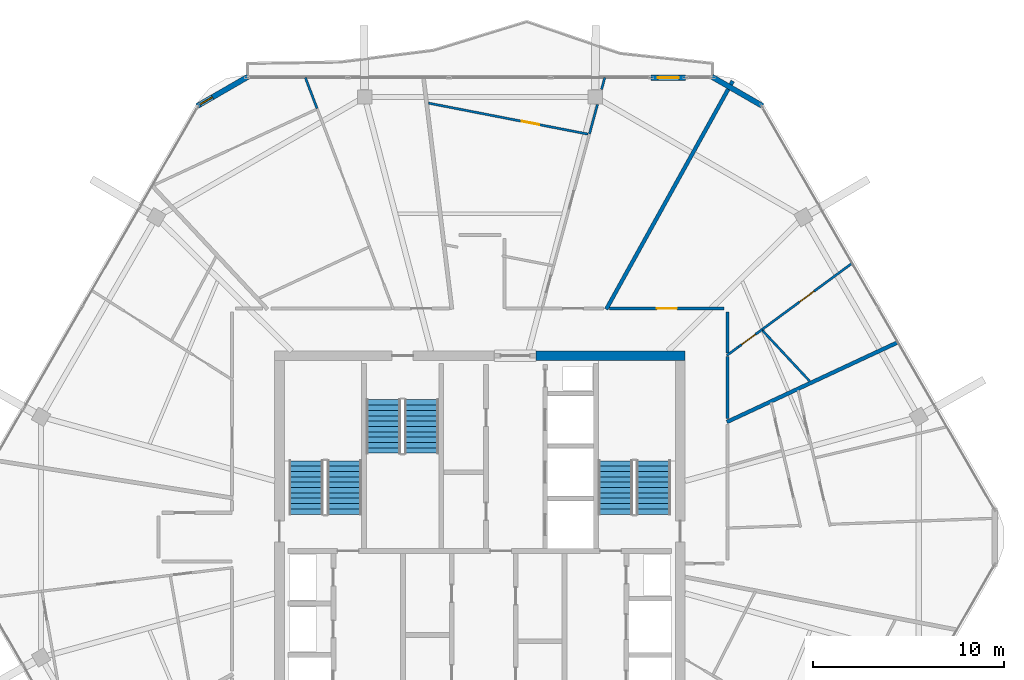
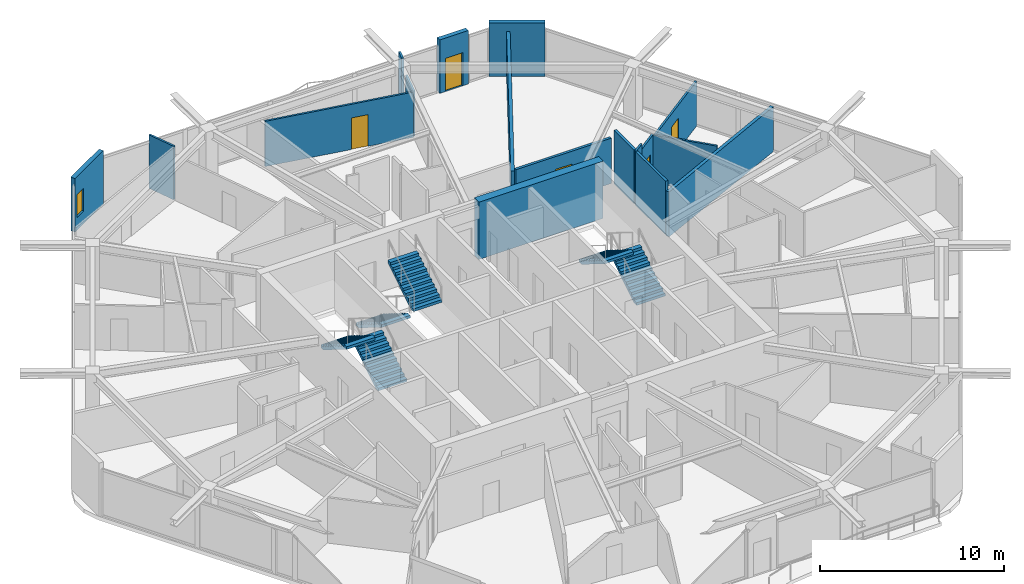
# One storey, part 19 of 21: 17 walls, 6 stair flights, 5 doors, 1 window, 6 openings, 3 elements without a shape of their own.
"""IFC4 building model written with IfcOpenShell, lengths in metres."""

from ifc_helpers import new_model, si_unit, direction, frame, frame_2d, origin, place, context, subcontext, project, spatial, polyline, rectangle, outline, extrude, material, layer, layer_set, type_object, element, fill, aggregate, save


model = new_model("IFC4")

# Units and contexts
model_context = context("Model", 3, precision=1e-05, world=origin(), true_north=direction((0.0, 1.0)))
body_context = subcontext(model_context, "Body", "Model", "MODEL_VIEW")
ifc_project = project(units=[si_unit("LENGTHUNIT", "METRE"), si_unit("AREAUNIT", "SQUARE_METRE"), si_unit("VOLUMEUNIT", "CUBIC_METRE"), si_unit("PLANEANGLEUNIT", "RADIAN"), si_unit("MASSUNIT", "GRAM", prefix="KILO")], contexts=[model_context])

# Site, building, storey
site_placement = place(None, origin())
site = spatial("IfcSite", under=ifc_project, at=site_placement, CompositionType="ELEMENT")
building_placement = place(site_placement, origin())
building = spatial("IfcBuilding", under=site, at=building_placement, Name="Zuhravey Tower", CompositionType="ELEMENT")
storey_placement = place(building_placement, frame((0.0, 0.0, 334.800048828125)))
storey = spatial("IfcBuildingStorey", under=building, at=storey_placement, Name="L85", CompositionType="ELEMENT", Elevation=334.800048828125)

# Wall
ifc_material_1 = material(Name="Concrete C50/60", Category="concrete")
ifc_layer_1 = layer(ifc_material_1, 0.5)
ifc_layer_set_1 = layer_set([ifc_layer_1], Name="Concrete C50/60")
wall_type_1 = type_object("IfcWallType", Name="Core Shear Wall 500", PredefinedType="SHEAR", material=ifc_layer_set_1)
wall_1_placement = place(storey_placement, frame((46.75, 41.5, 0.0), z_axis=(0.0, 0.0, 1.0), x_axis=(-1.0, 0.0, 0.0)))
element("IfcWall", 1, at=wall_1_placement, inside=storey, type_object=wall_type_1, Name="L85 North-East Core Shear Wall CW50", PredefinedType="SHEAR", context=body_context, shape_type="SweptSolid", body=[
    extrude(rectangle(XDim=7.800048828125, YDim=0.5, at=frame_2d((3.89990234375, 0.0))), origin(), (0.0, 0.0, 1.0), 3.800048828125),
])

# Wall, opening, door
ifc_material_2 = material(Name="Gypsum fire-rated stud partition")
ifc_layer_2 = layer(ifc_material_2, 0.159912109375)
ifc_layer_set_2 = layer_set([ifc_layer_2], Name="Gypsum fire-rated stud partition")
wall_type_2 = type_object("IfcWallType", Name="Corridor Fire Partition 160", PredefinedType="PARTITIONING", material=ifc_layer_set_2)
wall_2_placement = place(storey_placement, frame((48.800048828125, 43.97998046875, 0.0), z_axis=(0.0, 0.0, 1.0), x_axis=(-1.0, 0.0, 0.0)))
wall_2 = element("IfcWall", 2, at=wall_2_placement, inside=storey, type_object=wall_type_2, Name="L85 IW16 Partition 050", PredefinedType="PARTITIONING", context=body_context, shape_type="SweptSolid", body=[
    extrude(rectangle(XDim=5.999267578125, YDim=0.159912109375, at=frame_2d((2.99951171875, 0.0))), origin(), (0.0, 0.0, 1.0), 3.0),
])
opening_1_placement = place(wall_2_placement, frame((2.474609375, 0.0, 0.0)))
opening_1 = element("IfcOpeningElement", 3, at=opening_1_placement, cuts=wall_2, Name="Opening APD1", PredefinedType="OPENING", context=body_context, shape_type="SweptSolid", body=[
    extrude(rectangle(XDim=1.050048828125, YDim=2.14990234375, at=frame_2d((0.52490234375, 1.074951171875))), frame((0.0, 0.092041015625, 0.0), z_axis=(0.0, -1.0, 0.0), x_axis=(1.0, 0.0, 0.0)), (0.0, 0.0, 1.0), 0.183837890625),
])
ifc_material_3 = material(Name="Solid-core oak fire-rated leaf")
door_type_1 = type_object("IfcDoorType", Name="Apartment Entrance Fire Door 1050x2150", OperationType="NOTDEFINED", PredefinedType="DOOR", material=ifc_material_3)
door_1_placement = place(opening_1_placement, frame((1.050048828125, 0.0, 0.0), z_axis=(0.0, 0.0, 1.0), x_axis=(-1.0, 0.0, 0.0)))
door_1 = element("IfcDoor", 4, at=door_1_placement, inside=storey, type_object=door_type_1, Name="L85 Door 050.1", OperationType="SINGLE_SWING_RIGHT", OverallHeight=2.14990234375, OverallWidth=1.050048828125, PredefinedType="DOOR", context=body_context, shape_type="SweptSolid", body=[
    extrude(rectangle(XDim=1.050048828125, YDim=2.14990234375, at=frame_2d((0.52490234375, 1.074951171875))), frame((0.0, 0.02490234375, 0.0), z_axis=(0.0, -1.0, 0.0), x_axis=(1.0, 0.0, 0.0)), (0.0, 0.0, 1.0), 0.050048828125),
])
fill(opening_1, door_1)

# Walls
wall_3_placement = place(storey_placement, frame((48.97998046875, 41.63671875, 0.0), z_axis=(0.0, 0.0, 1.0), x_axis=(0.0, 1.0, 0.0)))
element("IfcWall", 5, at=wall_3_placement, inside=storey, type_object=wall_type_2, Name="L85 IW16 Partition 121", PredefinedType="PARTITIONING", context=body_context, shape_type="SweptSolid", body=[
    extrude(rectangle(XDim=2.163330078125, YDim=0.159912109375, at=frame_2d((1.08154296875, 0.0))), origin(), (0.0, 0.0, 1.0), 3.550048828125),
])
wall_4_placement = place(storey_placement, frame((48.97998046875, 38.21337890625, 0.0), z_axis=(0.0, 0.0, 1.0), x_axis=(0.0, 1.0, 0.0)))
element("IfcWall", 6, at=wall_4_placement, inside=storey, type_object=wall_type_2, Name="L85 IW16 Partition 122", PredefinedType="PARTITIONING", context=body_context, shape_type="SweptSolid", body=[
    extrude(rectangle(XDim=3.25439453125, YDim=0.159912109375, at=frame_2d((1.627197265625, 0.0))), origin(), (0.0, 0.0, 1.0), 3.550048828125),
])

# Wall, opening, window
ifc_material_4 = material(Name="Precast concrete C40/50", Category="concrete")
ifc_layer_3 = layer(ifc_material_4, 0.280029296875)
ifc_layer_set_3 = layer_set([ifc_layer_3], Name="Precast concrete C40/50")
wall_type_3 = type_object("IfcWallType", Name="Crown Architectural Wall 280", PredefinedType="SOLIDWALL", material=ifc_layer_set_3)
wall_5_placement = place(storey_placement, frame((21.188720703125, 54.589111328125, 0.0), z_axis=(0.0, 0.0, 1.0), x_axis=(0.866023752521, 0.50000286006, 0.0)))
wall_5 = element("IfcWall", 7, at=wall_5_placement, inside=storey, type_object=wall_type_3, Name="L85 Rounded Corner Closure Wall EW28-08", PredefinedType="SOLIDWALL", context=body_context, shape_type="SweptSolid", body=[
    extrude(rectangle(XDim=3.06494140625, YDim=0.280029296875, at=frame_2d((1.532470703125, 0.0))), origin(), (0.0, 0.0, 1.0), 3.550048828125),
])
opening_2_placement = place(wall_5_placement, frame((0.1728515625, 0.0, 0.85009765625)))
opening_2 = element("IfcOpeningElement", 8, at=opening_2_placement, cuts=wall_5, Name="Opening WN5", PredefinedType="OPENING", context=body_context, shape_type="SweptSolid", body=[
    extrude(rectangle(XDim=0.75, YDim=1.5, at=frame_2d((0.375, 0.75))), frame((0.0, 0.152099609375, 0.0), z_axis=(0.0, -1.0, 0.0), x_axis=(1.0, 0.0, 0.0)), (0.0, 0.0, 1.0), 0.303955078125),
])
ifc_material_5 = material(Name="Thermally broken aluminium and triple low-E glass", Category="aluminium")
window_type = type_object("IfcWindowType", Name="Residential Corner Casement Window 750x1500", PartitioningType="SINGLE_PANEL", PredefinedType="WINDOW", material=ifc_material_5)
window_placement = place(opening_2_placement, origin())
window = element("IfcWindow", 9, at=window_placement, inside=storey, type_object=window_type, Name="L85 Corner Casement Window WN5-08.1", OverallHeight=1.5, OverallWidth=0.75, PartitioningType="SINGLE_PANEL", PredefinedType="WINDOW", context=body_context, shape_type="SweptSolid", body=[
    extrude(rectangle(XDim=0.75, YDim=1.5, at=frame_2d((0.375, 0.75))), frame((0.0, 0.030029296875, 0.0), z_axis=(0.0, -1.0, 0.0), x_axis=(1.0, 0.0, 0.0)), (0.0, 0.0, 1.0), 0.06005859375),
])
fill(opening_2, window)

# Wall, opening, door
wall_6_placement = place(storey_placement, frame((44.974609375, 56.07421875, 0.0), z_axis=(0.0, 0.0, 1.0), x_axis=(1.0, 0.0, 0.0)))
wall_6 = element("IfcWall", 10, at=wall_6_placement, inside=storey, type_object=wall_type_3, Name="L85 Face 2 Facade Pier EW28-1", PredefinedType="SOLIDWALL", context=body_context, shape_type="SweptSolid", body=[
    extrude(rectangle(XDim=1.7900390625, YDim=0.280029296875, at=frame_2d((0.89501953125, 0.0))), origin(), (0.0, 0.0, 1.0), 3.550048828125),
])
opening_3_placement = place(wall_6_placement, frame((0.344970703125, 0.0, 0.0)))
opening_3 = element("IfcOpeningElement", 11, at=opening_3_placement, cuts=wall_6, Name="Opening BLD1", PredefinedType="OPENING", context=body_context, shape_type="SweptSolid", body=[
    extrude(rectangle(XDim=1.10009765625, YDim=2.199951171875, at=frame_2d((0.550048828125, 1.10009765625))), frame((0.0, 0.152099609375, 0.0), z_axis=(0.0, -1.0, 0.0), x_axis=(1.0, 0.0, 0.0)), (0.0, 0.0, 1.0), 0.303955078125),
])
ifc_material_6 = material(Name="Thermally broken aluminium and low-E glass", Category="aluminium")
door_type_2 = type_object("IfcDoorType", Name="Balcony & Sky-Tray Glazed Door 1100x2200", OperationType="NOTDEFINED", PredefinedType="DOOR", material=ifc_material_6)
door_2_placement = place(opening_3_placement, frame((1.10009765625, 0.0, 0.0), z_axis=(0.0, 0.0, 1.0), x_axis=(-1.0, 0.0, 0.0)))
door_2 = element("IfcDoor", 12, at=door_2_placement, inside=storey, type_object=door_type_2, Name="L85 Face 2 Wave Balcony Door", OperationType="SINGLE_SWING_RIGHT", OverallHeight=2.199951171875, OverallWidth=1.10009765625, PredefinedType="DOOR", context=body_context, shape_type="SweptSolid", body=[
    extrude(rectangle(XDim=1.10009765625, YDim=2.199951171875, at=frame_2d((0.550048828125, 1.10009765625))), frame((0.0, 0.02490234375, 0.0), z_axis=(0.0, -1.0, 0.0), x_axis=(1.0, 0.0, 0.0)), (0.0, 0.0, 1.0), 0.050048828125),
])
fill(opening_3, door_2)

# Walls
wall_7_placement = place(storey_placement, frame((48.156982421875, 56.12158203125, 0.0), z_axis=(0.0, 0.0, 1.0), x_axis=(0.866023752521, -0.50000286006, 0.0)))
element("IfcWall", 13, at=wall_7_placement, inside=storey, type_object=wall_type_3, Name="L85 Rounded Corner Closure Wall EW28-10", PredefinedType="SOLIDWALL", context=body_context, shape_type="SweptSolid", body=[
    extrude(rectangle(XDim=3.06494140625, YDim=0.280029296875, at=frame_2d((1.532470703125, 0.0))), origin(), (0.0, 0.0, 1.0), 3.550048828125),
])
ifc_material_7 = material(Name="Gypsum double-stud party assembly")
ifc_layer_4 = layer(ifc_material_7, 0.199951171875)
ifc_layer_set_4 = layer_set([ifc_layer_4], Name="Gypsum double-stud party assembly")
wall_type_4 = type_object("IfcWallType", Name="Inter-Tenancy Party Wall 200", PredefinedType="PARTITIONING", material=ifc_layer_set_4)
wall_8_placement = place(storey_placement, frame((48.93994140625, 38.033935546875, 0.0), z_axis=(0.0, 0.0, 1.0), x_axis=(0.906309881833, 0.422613769406, 0.0)))
element("IfcWall", 14, at=wall_8_placement, inside=storey, type_object=wall_type_4, Name="L85 IW20 Partition 091", PredefinedType="PARTITIONING", context=body_context, shape_type="SweptSolid", body=[
    extrude(rectangle(XDim=9.888427734375, YDim=0.199951171875, at=frame_2d((4.9443359375, 0.0))), origin(), (0.0, 0.0, 1.0), 2.969970703125),
])
wall_9_placement = place(storey_placement, frame((42.618408203125, 43.93994140625, 0.0), z_axis=(0.0, 0.0, 1.0), x_axis=(0.484817892783, 0.874615121546, 0.0)))
element("IfcWall", 15, at=wall_9_placement, inside=storey, type_object=wall_type_4, Name="L85 IW20 Partition 094", PredefinedType="PARTITIONING", context=body_context, shape_type="SweptSolid", body=[
    extrude(rectangle(XDim=13.67138671875, YDim=0.199951171875, at=frame_2d((6.835693359375, 0.0))), origin(), (0.0, 0.0, 1.0), 2.969970703125),
])

# Wall, opening, door
ifc_material_8 = material(Name="Gypsum metal-stud partition")
ifc_layer_5 = layer(ifc_material_8, 0.1201171875)
ifc_layer_set_5 = layer_set([ifc_layer_5], Name="Gypsum metal-stud partition")
wall_type_5 = type_object("IfcWallType", Name="Unit Internal Partition 120", PredefinedType="PARTITIONING", material=ifc_layer_set_5)
wall_10_placement = place(storey_placement, frame((49.550048828125, 41.9716796875, 0.0), z_axis=(0.0, 0.0, 1.0), x_axis=(0.805387500531, 0.592748660047, 0.0)))
wall_10 = element("IfcWall", 16, at=wall_10_placement, inside=storey, type_object=wall_type_5, Name="L85 IW12 Partition 048", PredefinedType="PARTITIONING", context=body_context, shape_type="SweptSolid", body=[
    extrude(rectangle(XDim=1.53515625, YDim=0.1201171875, at=frame_2d((0.767578125, 0.0))), origin(), (0.0, 0.0, 1.0), 3.199951171875),
])
opening_4_placement = place(wall_10_placement, frame((0.199951171875, 0.0, 0.0)))
opening_4 = element("IfcOpeningElement", 17, at=opening_4_placement, cuts=wall_10, Name="Opening WCD1", PredefinedType="OPENING", context=body_context, shape_type="SweptSolid", body=[
    extrude(rectangle(XDim=0.89990234375, YDim=2.10009765625, at=frame_2d((0.449951171875, 1.050048828125))), frame((0.0, 0.072021484375, 0.0), z_axis=(0.0, -1.0, 0.0), x_axis=(1.0, 0.0, 0.0)), (0.0, 0.0, 1.0), 0.14404296875),
])
ifc_material_9 = material(Name="Moisture-resistant timber leaf", Category="wood")
door_type_3 = type_object("IfcDoorType", Name="Bathroom & WC Internal Door 900x2100", OperationType="NOTDEFINED", PredefinedType="DOOR", material=ifc_material_9)
door_3_placement = place(opening_4_placement, frame((0.89990234375, 0.0, 0.0), z_axis=(0.0, 0.0, 1.0), x_axis=(-1.0, 0.0, 0.0)))
door_3 = element("IfcDoor", 18, at=door_3_placement, inside=storey, type_object=door_type_3, Name="Apartment L85-08 Bathroom Door", OperationType="SINGLE_SWING_RIGHT", OverallHeight=2.10009765625, OverallWidth=0.89990234375, PredefinedType="DOOR", context=body_context, shape_type="SweptSolid", body=[
    extrude(rectangle(XDim=0.89990234375, YDim=2.10009765625, at=frame_2d((0.449951171875, 1.050048828125))), frame((0.0, 0.02490234375, 0.0), z_axis=(0.0, -1.0, 0.0), x_axis=(1.0, 0.0, 0.0)), (0.0, 0.0, 1.0), 0.050048828125),
])
fill(opening_4, door_3)

wall_11_placement = place(storey_placement, frame((50.786376953125, 42.881591796875, 0.0), z_axis=(0.0, 0.0, 1.0), x_axis=(0.805413284852, 0.592713624429, 0.0)))
wall_11 = element("IfcWall", 19, at=wall_11_placement, inside=storey, type_object=wall_type_5, Name="L85 IW12 Partition 049", PredefinedType="PARTITIONING", context=body_context, shape_type="SweptSolid", body=[
    extrude(rectangle(XDim=5.868896484375, YDim=0.1201171875, at=frame_2d((2.9345703125, 0.0))), origin(), (0.0, 0.0, 1.0), 2.969970703125),
])
opening_5_placement = place(wall_11_placement, frame((2.434326171875, 0.0, 0.0)))
opening_5 = element("IfcOpeningElement", 20, at=opening_5_placement, cuts=wall_11, Name="Opening IND1", PredefinedType="OPENING", context=body_context, shape_type="SweptSolid", body=[
    extrude(rectangle(XDim=0.949951171875, YDim=2.10009765625, at=frame_2d((0.47509765625, 1.050048828125))), frame((0.0, 0.072021484375, 0.0), z_axis=(0.0, -1.0, 0.0), x_axis=(1.0, 0.0, 0.0)), (0.0, 0.0, 1.0), 0.14404296875),
])
ifc_material_10 = material(Name="Painted engineered timber leaf", Category="wood")
door_type_4 = type_object("IfcDoorType", Name="Internal Room & Bedroom Door 950x2100", OperationType="NOTDEFINED", PredefinedType="DOOR", material=ifc_material_10)
door_4_placement = place(opening_5_placement, frame((0.949951171875, 0.0, 0.0), z_axis=(0.0, 0.0, 1.0), x_axis=(-1.0, 0.0, 0.0)))
door_4 = element("IfcDoor", 21, at=door_4_placement, inside=storey, type_object=door_type_4, Name="Apartment L85-08 Bedroom 1 Door", OperationType="SINGLE_SWING_LEFT", OverallHeight=2.10009765625, OverallWidth=0.949951171875, PredefinedType="DOOR", context=body_context, shape_type="SweptSolid", body=[
    extrude(rectangle(XDim=0.949951171875, YDim=2.10009765625, at=frame_2d((0.47509765625, 1.050048828125))), frame((0.0, 0.02490234375, 0.0), z_axis=(0.0, -1.0, 0.0), x_axis=(1.0, 0.0, 0.0)), (0.0, 0.0, 1.0), 0.050048828125),
])
fill(opening_5, door_4)

wall_12_placement = place(storey_placement, frame((41.66650390625, 53.115478515625, 0.0), z_axis=(0.0, 0.0, 1.0), x_axis=(-0.981630458745, 0.190792144662, 0.0)))
wall_12 = element("IfcWall", 22, at=wall_12_placement, inside=storey, type_object=wall_type_5, Name="L85 IW12 Partition 053", PredefinedType="PARTITIONING", context=body_context, shape_type="SweptSolid", body=[
    extrude(rectangle(XDim=8.5146484375, YDim=0.1201171875, at=frame_2d((4.25732421875, 0.0))), origin(), (0.0, 0.0, 1.0), 3.0),
])
opening_6_placement = place(wall_12_placement, frame((2.59814453125, 0.0, 0.0)))
opening_6 = element("IfcOpeningElement", 23, at=opening_6_placement, cuts=wall_12, Name="Opening IND1", PredefinedType="OPENING", context=body_context, shape_type="SweptSolid", body=[
    extrude(rectangle(XDim=0.949951171875, YDim=2.10009765625, at=frame_2d((0.47509765625, 1.050048828125))), frame((0.0, 0.072021484375, 0.0), z_axis=(0.0, -1.0, 0.0), x_axis=(1.0, 0.0, 0.0)), (0.0, 0.0, 1.0), 0.14404296875),
])
door_5_placement = place(opening_6_placement, frame((0.949951171875, 0.0, 0.0), z_axis=(0.0, 0.0, 1.0), x_axis=(-1.0, 0.0, 0.0)))
door_5 = element("IfcDoor", 24, at=door_5_placement, inside=storey, type_object=door_type_4, Name="Apartment L85-09 Bedroom 1 Door", OperationType="SINGLE_SWING_LEFT", OverallHeight=2.10009765625, OverallWidth=0.949951171875, PredefinedType="DOOR", context=body_context, shape_type="SweptSolid", body=[
    extrude(rectangle(XDim=0.949951171875, YDim=2.10009765625, at=frame_2d((0.47509765625, 1.050048828125))), frame((0.0, 0.02490234375, 0.0), z_axis=(0.0, -1.0, 0.0), x_axis=(1.0, 0.0, 0.0)), (0.0, 0.0, 1.0), 0.050048828125),
])
fill(opening_6, door_5)

# Walls
wall_13_placement = place(storey_placement, frame((48.93505859375, 41.51904296875, 0.0), z_axis=(0.0, 0.0, 1.0), x_axis=(0.805377162159, 0.592762706885, 0.0)))
element("IfcWall", 25, at=wall_13_placement, inside=storey, type_object=wall_type_5, Name="L85 IW12 Partition 092", PredefinedType="PARTITIONING", context=body_context, shape_type="SweptSolid", body=[
    extrude(rectangle(XDim=0.763671875, YDim=0.1201171875, at=frame_2d((0.3818359375, 0.0))), origin(), (0.0, 0.0, 1.0), 3.550048828125),
])
wall_14_placement = place(storey_placement, frame((53.27587890625, 40.175048828125, 0.0), z_axis=(0.0, 0.0, 1.0), x_axis=(-0.681968956902, 0.731381119405, 0.0)))
element("IfcWall", 26, at=wall_14_placement, inside=storey, type_object=wall_type_5, Name="L85 IW12 Partition 093", PredefinedType="PARTITIONING", context=body_context, shape_type="SweptSolid", body=[
    extrude(rectangle(XDim=3.61181640625, YDim=0.1201171875, at=frame_2d((1.805908203125, 0.0))), origin(), (0.0, 0.0, 1.0), 3.199951171875),
])
wall_15_placement = place(storey_placement, frame((41.739990234375, 53.126708984375, 0.0), z_axis=(0.0, 0.0, 1.0), x_axis=(0.262251392031, 0.964999589315, 0.0)))
element("IfcWall", 27, at=wall_15_placement, inside=storey, type_object=wall_type_5, Name="L85 IW12 Partition 096", PredefinedType="PARTITIONING", context=body_context, shape_type="SweptSolid", body=[
    extrude(rectangle(XDim=1.598388671875, YDim=0.1201171875, at=frame_2d((0.79931640625, 0.0))), origin(), (0.0, 0.0, 1.0), 3.0),
])
wall_16_placement = place(storey_placement, frame((42.373779296875, 55.458984375, 0.0), z_axis=(0.0, 0.0, 1.0), x_axis=(0.262183526331, 0.965018030153, 0.0)))
element("IfcWall", 28, at=wall_16_placement, inside=storey, type_object=wall_type_5, Name="L85 IW12 Partition 097", PredefinedType="PARTITIONING", context=body_context, shape_type="SweptSolid", body=[
    extrude(rectangle(XDim=0.6416015625, YDim=0.1201171875, at=frame_2d((0.32080078125, 0.0))), origin(), (0.0, 0.0, 1.0), 3.550048828125),
])
wall_17_placement = place(storey_placement, frame((27.46826171875, 54.459716796875, 0.0), z_axis=(0.0, 0.0, 1.0), x_axis=(-0.35502809258, 0.934855632426, 0.0)))
element("IfcWall", 29, at=wall_17_placement, inside=storey, type_object=wall_type_5, Name="L85 IW12 Partition 102", PredefinedType="PARTITIONING", context=body_context, shape_type="SweptSolid", body=[
    extrude(rectangle(XDim=1.732177734375, YDim=0.1201171875, at=frame_2d((0.8662109375, 0.0))), origin(), (0.0, 0.0, 1.0), 3.550048828125),
])

# Stair, stair flights
ifc_material_11 = material(Name="Concrete C40/50", Category="concrete")
stair_type = type_object("IfcStairType", Name="Housing Storey Stair Assembly 3800", PredefinedType="HALF_TURN_STAIR", material=ifc_material_11)
stair_1_placement = place(storey_placement, origin())
stair_1 = element("IfcStair", 30, at=stair_1_placement, inside=storey, type_object=stair_type, Name="L85 Core Exit Stair ST1", PredefinedType="HALF_TURN_STAIR")
stair_flight_type = type_object("IfcStairFlightType", Name="Housing Storey Stair Flight 3800", PredefinedType="STRAIGHT", material=ifc_material_11)
stair_flight_1_placement = place(storey_placement, frame((28.89990234375, 33.199951171875, 0.0), z_axis=(0.0, 0.0, 1.0), x_axis=(0.0, 1.0, 0.0)))
stair_flight_1 = element("IfcStairFlight", 31, at=stair_flight_1_placement, type_object=stair_flight_type, Name="ST1 flight 1", NumberOfRisers=11, NumberOfTreads=10, PredefinedType="STRAIGHT", RiserHeight=0.172727273, TreadLength=0.28, context=body_context, shape_type="SweptSolid", body=[
    extrude(outline(polyline([(0.0, 0.0), (0.0, 0.172607421875), (0.280029296875, 0.172607421875), (0.280029296875, 0.345458984375), (0.56005859375, 0.345458984375), (0.56005859375, 0.51806640625), (0.840087890625, 0.51806640625), (0.840087890625, 0.69091796875), (1.1201171875, 0.69091796875), (1.1201171875, 0.863525390625), (1.39990234375, 0.863525390625), (1.39990234375, 1.036376953125), (1.679931640625, 1.036376953125), (1.679931640625, 1.208984375), (1.9599609375, 1.208984375), (1.9599609375, 1.3818359375), (2.239990234375, 1.3818359375), (2.239990234375, 1.554443359375), (2.52001953125, 1.554443359375), (2.52001953125, 1.727294921875), (2.800048828125, 1.727294921875), (2.800048828125, 1.89990234375), (2.800048828125, 1.551025390625), (0.285400390625, 0.0), (0.0, 0.0)])), frame((0.0, 0.89990234375, 0.0), z_axis=(0.0, -1.0, 0.0), x_axis=(1.0, 0.0, 0.0)), (0.0, 0.0, 1.0), 1.800048828125),
])
stair_flight_2_placement = place(storey_placement, frame((26.89990234375, 36.0, 1.89990234375), z_axis=(0.0, 0.0, 1.0), x_axis=(0.0, -1.0, 0.0)))
stair_flight_2 = element("IfcStairFlight", 32, at=stair_flight_2_placement, type_object=stair_flight_type, Name="ST1 flight 2", NumberOfRisers=11, NumberOfTreads=10, PredefinedType="STRAIGHT", RiserHeight=0.172727273, TreadLength=0.28, context=body_context, shape_type="SweptSolid", body=[
    extrude(outline(polyline([(0.0, 0.0), (0.0, 0.172607421875), (0.280029296875, 0.172607421875), (0.280029296875, 0.345458984375), (0.56005859375, 0.345458984375), (0.56005859375, 0.51806640625), (0.840087890625, 0.51806640625), (0.840087890625, 0.69091796875), (1.1201171875, 0.69091796875), (1.1201171875, 0.863525390625), (1.39990234375, 0.863525390625), (1.39990234375, 1.036376953125), (1.679931640625, 1.036376953125), (1.679931640625, 1.208984375), (1.9599609375, 1.208984375), (1.9599609375, 1.3818359375), (2.239990234375, 1.3818359375), (2.239990234375, 1.554443359375), (2.52001953125, 1.554443359375), (2.52001953125, 1.727294921875), (2.800048828125, 1.727294921875), (2.800048828125, 1.89990234375), (2.800048828125, 1.551025390625), (0.285400390625, 0.0), (0.0, 0.0)])), frame((0.0, 0.89990234375, 0.0), z_axis=(0.0, -1.0, 0.0), x_axis=(1.0, 0.0, 0.0)), (0.0, 0.0, 1.0), 1.800048828125),
])
aggregate(stair_1, [stair_flight_1, stair_flight_2])

stair_2_placement = place(storey_placement, origin())
stair_2 = element("IfcStair", 33, at=stair_2_placement, inside=storey, type_object=stair_type, Name="L85 Core Exit Stair ST2", PredefinedType="HALF_TURN_STAIR")
stair_flight_3_placement = place(storey_placement, frame((45.10009765625, 33.199951171875, 0.0), z_axis=(0.0, 0.0, 1.0), x_axis=(0.0, 1.0, 0.0)))
stair_flight_3 = element("IfcStairFlight", 34, at=stair_flight_3_placement, type_object=stair_flight_type, Name="ST2 flight 1", NumberOfRisers=11, NumberOfTreads=10, PredefinedType="STRAIGHT", RiserHeight=0.172727273, TreadLength=0.28, context=body_context, shape_type="SweptSolid", body=[
    extrude(outline(polyline([(0.0, 0.0), (0.0, 0.172607421875), (0.280029296875, 0.172607421875), (0.280029296875, 0.345458984375), (0.56005859375, 0.345458984375), (0.56005859375, 0.51806640625), (0.840087890625, 0.51806640625), (0.840087890625, 0.69091796875), (1.1201171875, 0.69091796875), (1.1201171875, 0.863525390625), (1.39990234375, 0.863525390625), (1.39990234375, 1.036376953125), (1.679931640625, 1.036376953125), (1.679931640625, 1.208984375), (1.9599609375, 1.208984375), (1.9599609375, 1.3818359375), (2.239990234375, 1.3818359375), (2.239990234375, 1.554443359375), (2.52001953125, 1.554443359375), (2.52001953125, 1.727294921875), (2.800048828125, 1.727294921875), (2.800048828125, 1.89990234375), (2.800048828125, 1.551025390625), (0.285400390625, 0.0), (0.0, 0.0)])), frame((0.0, 0.89990234375, 0.0), z_axis=(0.0, -1.0, 0.0), x_axis=(1.0, 0.0, 0.0)), (0.0, 0.0, 1.0), 1.800048828125),
])
stair_flight_4_placement = place(storey_placement, frame((43.10009765625, 36.0, 1.89990234375), z_axis=(0.0, 0.0, 1.0), x_axis=(0.0, -1.0, 0.0)))
stair_flight_4 = element("IfcStairFlight", 35, at=stair_flight_4_placement, type_object=stair_flight_type, Name="ST2 flight 2", NumberOfRisers=11, NumberOfTreads=10, PredefinedType="STRAIGHT", RiserHeight=0.172727273, TreadLength=0.28, context=body_context, shape_type="SweptSolid", body=[
    extrude(outline(polyline([(0.0, 0.0), (0.0, 0.172607421875), (0.280029296875, 0.172607421875), (0.280029296875, 0.345458984375), (0.56005859375, 0.345458984375), (0.56005859375, 0.51806640625), (0.840087890625, 0.51806640625), (0.840087890625, 0.69091796875), (1.1201171875, 0.69091796875), (1.1201171875, 0.863525390625), (1.39990234375, 0.863525390625), (1.39990234375, 1.036376953125), (1.679931640625, 1.036376953125), (1.679931640625, 1.208984375), (1.9599609375, 1.208984375), (1.9599609375, 1.3818359375), (2.239990234375, 1.3818359375), (2.239990234375, 1.554443359375), (2.52001953125, 1.554443359375), (2.52001953125, 1.727294921875), (2.800048828125, 1.727294921875), (2.800048828125, 1.89990234375), (2.800048828125, 1.551025390625), (0.285400390625, 0.0), (0.0, 0.0)])), frame((0.0, 0.89990234375, 0.0), z_axis=(0.0, -1.0, 0.0), x_axis=(1.0, 0.0, 0.0)), (0.0, 0.0, 1.0), 1.800048828125),
])
aggregate(stair_2, [stair_flight_3, stair_flight_4])

stair_3_placement = place(storey_placement, origin())
stair_3 = element("IfcStair", 36, at=stair_3_placement, inside=storey, type_object=stair_type, Name="L85 Core Exit Stair ST3", PredefinedType="HALF_TURN_STAIR")
stair_flight_5_placement = place(storey_placement, frame((30.949951171875, 39.199951171875, 0.0), z_axis=(0.0, 0.0, 1.0), x_axis=(0.0, -1.0, 0.0)))
stair_flight_5 = element("IfcStairFlight", 37, at=stair_flight_5_placement, type_object=stair_flight_type, Name="ST3 flight 1", NumberOfRisers=11, NumberOfTreads=10, PredefinedType="STRAIGHT", RiserHeight=0.172727273, TreadLength=0.28, context=body_context, shape_type="SweptSolid", body=[
    extrude(outline(polyline([(0.0, 0.0), (0.0, 0.172607421875), (0.280029296875, 0.172607421875), (0.280029296875, 0.345458984375), (0.56005859375, 0.345458984375), (0.56005859375, 0.51806640625), (0.840087890625, 0.51806640625), (0.840087890625, 0.69091796875), (1.1201171875, 0.69091796875), (1.1201171875, 0.863525390625), (1.39990234375, 0.863525390625), (1.39990234375, 1.036376953125), (1.679931640625, 1.036376953125), (1.679931640625, 1.208984375), (1.9599609375, 1.208984375), (1.9599609375, 1.3818359375), (2.239990234375, 1.3818359375), (2.239990234375, 1.554443359375), (2.52001953125, 1.554443359375), (2.52001953125, 1.727294921875), (2.800048828125, 1.727294921875), (2.800048828125, 1.89990234375), (2.800048828125, 1.551025390625), (0.285400390625, 0.0), (0.0, 0.0)])), frame((0.0, 0.89990234375, 0.0), z_axis=(0.0, -1.0, 0.0), x_axis=(1.0, 0.0, 0.0)), (0.0, 0.0, 1.0), 1.800048828125),
])
stair_flight_6_placement = place(storey_placement, frame((32.949951171875, 36.39990234375, 1.89990234375), z_axis=(0.0, 0.0, 1.0), x_axis=(0.0, 1.0, 0.0)))
stair_flight_6 = element("IfcStairFlight", 38, at=stair_flight_6_placement, type_object=stair_flight_type, Name="ST3 flight 2", NumberOfRisers=11, NumberOfTreads=10, PredefinedType="STRAIGHT", RiserHeight=0.172727273, TreadLength=0.28, context=body_context, shape_type="SweptSolid", body=[
    extrude(outline(polyline([(0.0, 0.0), (0.0, 0.172607421875), (0.280029296875, 0.172607421875), (0.280029296875, 0.345458984375), (0.56005859375, 0.345458984375), (0.56005859375, 0.51806640625), (0.840087890625, 0.51806640625), (0.840087890625, 0.69091796875), (1.1201171875, 0.69091796875), (1.1201171875, 0.863525390625), (1.39990234375, 0.863525390625), (1.39990234375, 1.036376953125), (1.679931640625, 1.036376953125), (1.679931640625, 1.208984375), (1.9599609375, 1.208984375), (1.9599609375, 1.3818359375), (2.239990234375, 1.3818359375), (2.239990234375, 1.554443359375), (2.52001953125, 1.554443359375), (2.52001953125, 1.727294921875), (2.800048828125, 1.727294921875), (2.800048828125, 1.89990234375), (2.800048828125, 1.551025390625), (0.285400390625, 0.0), (0.0, 0.0)])), frame((0.0, 0.89990234375, 0.0), z_axis=(0.0, -1.0, 0.0), x_axis=(1.0, 0.0, 0.0)), (0.0, 0.0, 1.0), 1.800048828125),
])
aggregate(stair_3, [stair_flight_5, stair_flight_6])

save(model, "model.ifc")
